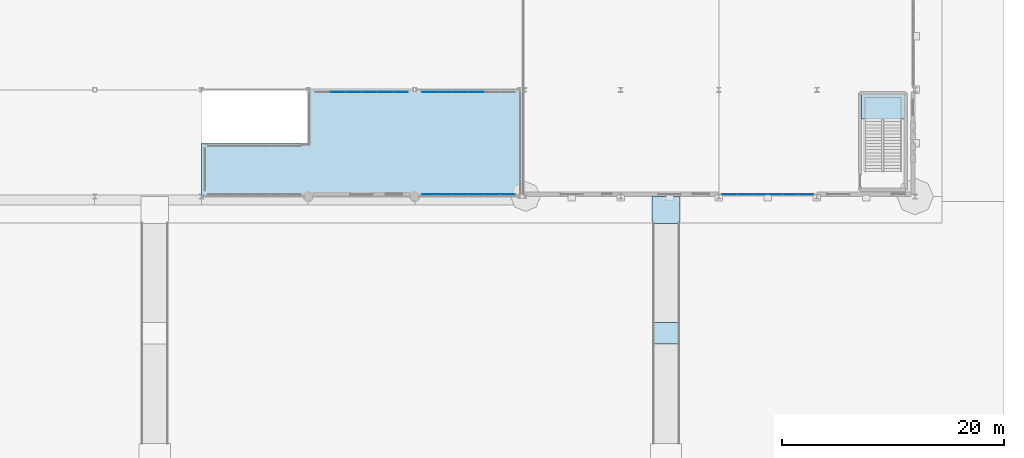
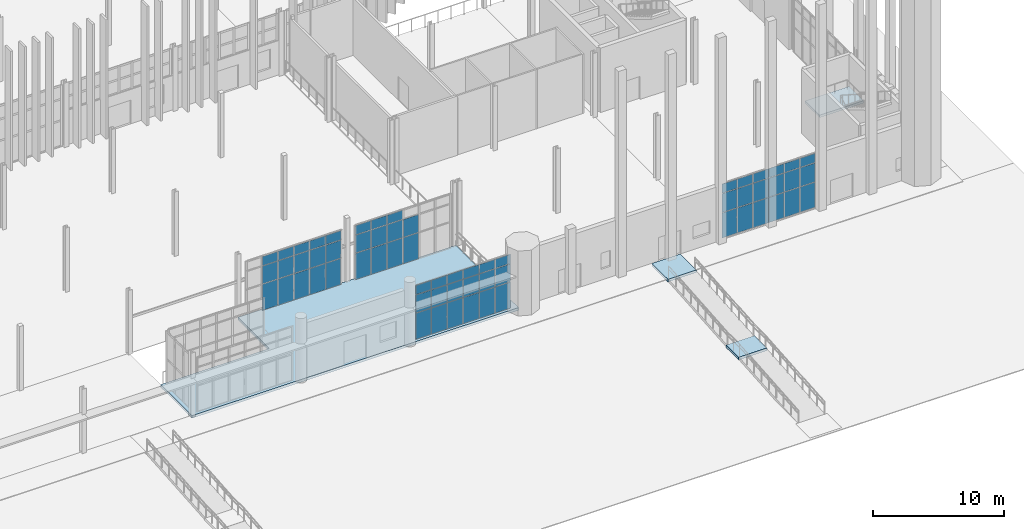
# One storey, part 80 of 139: 62 plates, 4 slabs, 6 elements without a shape of their own.
"""IFC4 building model written with IfcOpenShell, lengths in metres."""

from ifc_helpers import new_model, si_unit, direction, frame, origin, origin_2d, place, context, subcontext, project, spatial, polyline, rectangle, outline, extrude, material, layer, layer_set, type_object, element, aggregate, save


model = new_model("IFC4")

# Units and contexts
model_context = context("Model", 3, precision=1e-05, world=origin(), true_north=direction((0.0, 1.0)))
body_context = subcontext(model_context, "Body", "Model", "MODEL_VIEW")
ifc_project = project(units=[si_unit("LENGTHUNIT", "METRE"), si_unit("AREAUNIT", "SQUARE_METRE"), si_unit("VOLUMEUNIT", "CUBIC_METRE"), si_unit("PLANEANGLEUNIT", "RADIAN"), si_unit("MASSUNIT", "GRAM", prefix="KILO")], contexts=[model_context])

# Site, building, storey
site_placement = place(None, origin())
site = spatial("IfcSite", under=ifc_project, at=site_placement, CompositionType="ELEMENT")
building_placement = place(site_placement, origin())
building = spatial("IfcBuilding", under=site, at=building_placement, Name="Yeouljin Market Hall", CompositionType="ELEMENT")
storey_placement = place(building_placement, origin())
storey = spatial("IfcBuildingStorey", under=building, at=storey_placement, Name="L00", CompositionType="ELEMENT", Elevation=0.0)

# Curtain wall, plates
ifc_material_1 = material(Name="Thermally Broken Aluminium", Category="aluminium")
ifc_layer_1 = layer(ifc_material_1, 0.14990234375)
ifc_layer_set_1 = layer_set([ifc_layer_1], Name="Thermally Broken Aluminium")
curtain_wall_type_1 = type_object("IfcCurtainWallType", Name="CW_WingStorefront_System", PredefinedType="USERDEFINED", material=ifc_layer_set_1)
curtain_wall_1_placement = place(storey_placement, origin())
curtain_wall_1 = element("IfcCurtainWall", 1, at=curtain_wall_1_placement, inside=storey, type_object=curtain_wall_type_1, Name="Curtain wall CW-V3S-L00-2", ObjectType="CURTAIN WALL", PredefinedType="USERDEFINED")
ifc_material_2 = material(Name="Low-E Insulated Glass", Category="glass")
ifc_layer_2 = layer(ifc_material_2, 0.028076171875)
ifc_layer_set_2 = layer_set([ifc_layer_2], Name="Low-E Insulated Glass")
plate_type = type_object("IfcPlateType", Name="CWPanel_LowE_28", PredefinedType="CURTAIN_PANEL", material=ifc_layer_set_2)
plate_1_placement = place(storey_placement, frame((166.596435546875, 0.199951171875, 0.0478515625), z_axis=(0.0, 0.0, 1.0), x_axis=(-1.0, 0.0, 0.0)))
plate_1 = element("IfcPlate", 2, at=plate_1_placement, type_object=plate_type, Name="CW-04 panel 1.1", PredefinedType="CURTAIN_PANEL", context=body_context, shape_type="SweptSolid", body=[
    extrude(rectangle(XDim=1.311279296875, YDim=0.028076171875, at=origin_2d()), origin(), (0.0, 0.0, 1.0), 2.327880859375),
])
plate_2_placement = place(storey_placement, frame((166.596435546875, 0.199951171875, 2.424072265625), z_axis=(0.0, 0.0, 1.0), x_axis=(-1.0, 0.0, 0.0)))
plate_2 = element("IfcPlate", 3, at=plate_2_placement, type_object=plate_type, Name="CW-04 panel 1.2", PredefinedType="CURTAIN_PANEL", context=body_context, shape_type="SweptSolid", body=[
    extrude(rectangle(XDim=1.311279296875, YDim=0.028076171875, at=origin_2d()), origin(), (0.0, 0.0, 1.0), 1.751953125),
])
plate_3_placement = place(storey_placement, frame((166.596435546875, 0.199951171875, 4.22412109375), z_axis=(0.0, 0.0, 1.0), x_axis=(-1.0, 0.0, 0.0)))
plate_3 = element("IfcPlate", 4, at=plate_3_placement, type_object=plate_type, Name="CW-04 panel 1.3", PredefinedType="CURTAIN_PANEL", context=body_context, shape_type="SweptSolid", body=[
    extrude(rectangle(XDim=1.311279296875, YDim=0.028076171875, at=origin_2d()), origin(), (0.0, 0.0, 1.0), 0.847900390625),
])
plate_4_placement = place(storey_placement, frame((165.22509765625, 0.199951171875, 0.0478515625), z_axis=(0.0, 0.0, 1.0), x_axis=(-1.0, 0.0, 0.0)))
plate_4 = element("IfcPlate", 5, at=plate_4_placement, type_object=plate_type, Name="CW-04 panel 2.1", PredefinedType="CURTAIN_PANEL", context=body_context, shape_type="SweptSolid", body=[
    extrude(rectangle(XDim=1.33544921875, YDim=0.028076171875, at=origin_2d()), origin(), (0.0, 0.0, 1.0), 2.327880859375),
])
plate_5_placement = place(storey_placement, frame((165.22509765625, 0.199951171875, 2.424072265625), z_axis=(0.0, 0.0, 1.0), x_axis=(-1.0, 0.0, 0.0)))
plate_5 = element("IfcPlate", 6, at=plate_5_placement, type_object=plate_type, Name="CW-04 panel 2.2", PredefinedType="CURTAIN_PANEL", context=body_context, shape_type="SweptSolid", body=[
    extrude(rectangle(XDim=1.33544921875, YDim=0.028076171875, at=origin_2d()), origin(), (0.0, 0.0, 1.0), 1.751953125),
])
plate_6_placement = place(storey_placement, frame((165.22509765625, 0.199951171875, 4.22412109375), z_axis=(0.0, 0.0, 1.0), x_axis=(-1.0, 0.0, 0.0)))
plate_6 = element("IfcPlate", 7, at=plate_6_placement, type_object=plate_type, Name="CW-04 panel 2.3", PredefinedType="CURTAIN_PANEL", context=body_context, shape_type="SweptSolid", body=[
    extrude(rectangle(XDim=1.33544921875, YDim=0.028076171875, at=origin_2d()), origin(), (0.0, 0.0, 1.0), 0.847900390625),
])
plate_7_placement = place(storey_placement, frame((163.841552734375, 0.199951171875, 0.0478515625), z_axis=(0.0, 0.0, 1.0), x_axis=(-1.0, 0.0, 0.0)))
plate_7 = element("IfcPlate", 8, at=plate_7_placement, type_object=plate_type, Name="CW-04 panel 3.1", PredefinedType="CURTAIN_PANEL", context=body_context, shape_type="SweptSolid", body=[
    extrude(rectangle(XDim=1.33544921875, YDim=0.028076171875, at=origin_2d()), origin(), (0.0, 0.0, 1.0), 2.327880859375),
])
plate_8_placement = place(storey_placement, frame((163.841552734375, 0.199951171875, 2.424072265625), z_axis=(0.0, 0.0, 1.0), x_axis=(-1.0, 0.0, 0.0)))
plate_8 = element("IfcPlate", 9, at=plate_8_placement, type_object=plate_type, Name="CW-04 panel 3.2", PredefinedType="CURTAIN_PANEL", context=body_context, shape_type="SweptSolid", body=[
    extrude(rectangle(XDim=1.33544921875, YDim=0.028076171875, at=origin_2d()), origin(), (0.0, 0.0, 1.0), 1.751953125),
])
plate_9_placement = place(storey_placement, frame((163.841552734375, 0.199951171875, 4.22412109375), z_axis=(0.0, 0.0, 1.0), x_axis=(-1.0, 0.0, 0.0)))
plate_9 = element("IfcPlate", 10, at=plate_9_placement, type_object=plate_type, Name="CW-04 panel 3.3", PredefinedType="CURTAIN_PANEL", context=body_context, shape_type="SweptSolid", body=[
    extrude(rectangle(XDim=1.33544921875, YDim=0.028076171875, at=origin_2d()), origin(), (0.0, 0.0, 1.0), 0.847900390625),
])
plate_10_placement = place(storey_placement, frame((162.458251953125, 0.199951171875, 0.0478515625), z_axis=(0.0, 0.0, 1.0), x_axis=(-1.0, 0.0, 0.0)))
plate_10 = element("IfcPlate", 11, at=plate_10_placement, type_object=plate_type, Name="CW-04 panel 4.1", PredefinedType="CURTAIN_PANEL", context=body_context, shape_type="SweptSolid", body=[
    extrude(rectangle(XDim=1.33544921875, YDim=0.028076171875, at=origin_2d()), origin(), (0.0, 0.0, 1.0), 2.327880859375),
])
plate_11_placement = place(storey_placement, frame((162.458251953125, 0.199951171875, 2.424072265625), z_axis=(0.0, 0.0, 1.0), x_axis=(-1.0, 0.0, 0.0)))
plate_11 = element("IfcPlate", 12, at=plate_11_placement, type_object=plate_type, Name="CW-04 panel 4.2", PredefinedType="CURTAIN_PANEL", context=body_context, shape_type="SweptSolid", body=[
    extrude(rectangle(XDim=1.33544921875, YDim=0.028076171875, at=origin_2d()), origin(), (0.0, 0.0, 1.0), 1.751953125),
])
plate_12_placement = place(storey_placement, frame((162.458251953125, 0.199951171875, 4.22412109375), z_axis=(0.0, 0.0, 1.0), x_axis=(-1.0, 0.0, 0.0)))
plate_12 = element("IfcPlate", 13, at=plate_12_placement, type_object=plate_type, Name="CW-04 panel 4.3", PredefinedType="CURTAIN_PANEL", context=body_context, shape_type="SweptSolid", body=[
    extrude(rectangle(XDim=1.33544921875, YDim=0.028076171875, at=origin_2d()), origin(), (0.0, 0.0, 1.0), 0.847900390625),
])
plate_13_placement = place(storey_placement, frame((161.074951171875, 0.199951171875, 0.0478515625), z_axis=(0.0, 0.0, 1.0), x_axis=(-1.0, 0.0, 0.0)))
plate_13 = element("IfcPlate", 14, at=plate_13_placement, type_object=plate_type, Name="CW-04 panel 5.1", PredefinedType="CURTAIN_PANEL", context=body_context, shape_type="SweptSolid", body=[
    extrude(rectangle(XDim=1.33544921875, YDim=0.028076171875, at=origin_2d()), origin(), (0.0, 0.0, 1.0), 2.327880859375),
])
plate_14_placement = place(storey_placement, frame((161.074951171875, 0.199951171875, 2.424072265625), z_axis=(0.0, 0.0, 1.0), x_axis=(-1.0, 0.0, 0.0)))
plate_14 = element("IfcPlate", 15, at=plate_14_placement, type_object=plate_type, Name="CW-04 panel 5.2", PredefinedType="CURTAIN_PANEL", context=body_context, shape_type="SweptSolid", body=[
    extrude(rectangle(XDim=1.33544921875, YDim=0.028076171875, at=origin_2d()), origin(), (0.0, 0.0, 1.0), 1.751953125),
])
plate_15_placement = place(storey_placement, frame((161.074951171875, 0.199951171875, 4.22412109375), z_axis=(0.0, 0.0, 1.0), x_axis=(-1.0, 0.0, 0.0)))
plate_15 = element("IfcPlate", 16, at=plate_15_placement, type_object=plate_type, Name="CW-04 panel 5.3", PredefinedType="CURTAIN_PANEL", context=body_context, shape_type="SweptSolid", body=[
    extrude(rectangle(XDim=1.33544921875, YDim=0.028076171875, at=origin_2d()), origin(), (0.0, 0.0, 1.0), 0.847900390625),
])
plate_16_placement = place(storey_placement, frame((159.70361328125, 0.199951171875, 0.0478515625), z_axis=(0.0, 0.0, 1.0), x_axis=(-1.0, 0.0, 0.0)))
plate_16 = element("IfcPlate", 17, at=plate_16_placement, type_object=plate_type, Name="CW-04 panel 6.1", PredefinedType="CURTAIN_PANEL", context=body_context, shape_type="SweptSolid", body=[
    extrude(rectangle(XDim=1.311279296875, YDim=0.028076171875, at=origin_2d()), origin(), (0.0, 0.0, 1.0), 2.327880859375),
])
plate_17_placement = place(storey_placement, frame((159.70361328125, 0.199951171875, 2.424072265625), z_axis=(0.0, 0.0, 1.0), x_axis=(-1.0, 0.0, 0.0)))
plate_17 = element("IfcPlate", 18, at=plate_17_placement, type_object=plate_type, Name="CW-04 panel 6.2", PredefinedType="CURTAIN_PANEL", context=body_context, shape_type="SweptSolid", body=[
    extrude(rectangle(XDim=1.311279296875, YDim=0.028076171875, at=origin_2d()), origin(), (0.0, 0.0, 1.0), 1.751953125),
])
plate_18_placement = place(storey_placement, frame((159.70361328125, 0.199951171875, 4.22412109375), z_axis=(0.0, 0.0, 1.0), x_axis=(-1.0, 0.0, 0.0)))
plate_18 = element("IfcPlate", 19, at=plate_18_placement, type_object=plate_type, Name="CW-04 panel 6.3", PredefinedType="CURTAIN_PANEL", context=body_context, shape_type="SweptSolid", body=[
    extrude(rectangle(XDim=1.311279296875, YDim=0.028076171875, at=origin_2d()), origin(), (0.0, 0.0, 1.0), 0.847900390625),
])
aggregate(curtain_wall_1, [plate_1, plate_2, plate_3, plate_4, plate_5, plate_6, plate_7, plate_8, plate_9, plate_10, plate_11, plate_12, plate_13, plate_14, plate_15, plate_16, plate_17, plate_18])

ifc_material_3 = material(Name="Thermally Broken Aluminium", Category="aluminium")
ifc_layer_3 = layer(ifc_material_3, 0.14990234375)
ifc_layer_set_3 = layer_set([ifc_layer_3], Name="Thermally Broken Aluminium")
curtain_wall_type_2 = type_object("IfcCurtainWallType", Name="CW_ColonnadeScreen_System", PredefinedType="USERDEFINED", material=ifc_layer_set_3)
curtain_wall_2_placement = place(storey_placement, origin())
curtain_wall_2 = element("IfcCurtainWall", 20, at=curtain_wall_2_placement, inside=storey, type_object=curtain_wall_type_2, Name="Curtain wall CW-V5N-L00-5", ObjectType="CURTAIN WALL", PredefinedType="USERDEFINED")
plate_19_placement = place(storey_placement, frame((124.5, 9.39990234375, 0.0478515625), z_axis=(0.0, 0.0, 1.0), x_axis=(1.0, 0.0, 0.0)))
plate_19 = element("IfcPlate", 21, at=plate_19_placement, type_object=plate_type, Name="CW-06 panel 2.1", PredefinedType="CURTAIN_PANEL", context=body_context, shape_type="SweptSolid", body=[
    extrude(rectangle(XDim=1.35205078125, YDim=0.028076171875, at=origin_2d()), origin(), (0.0, 0.0, 1.0), 2.427978515625),
])
plate_20_placement = place(storey_placement, frame((124.5, 9.39990234375, 2.52392578125), z_axis=(0.0, 0.0, 1.0), x_axis=(1.0, 0.0, 0.0)))
plate_20 = element("IfcPlate", 22, at=plate_20_placement, type_object=plate_type, Name="CW-06 panel 2.2", PredefinedType="CURTAIN_PANEL", context=body_context, shape_type="SweptSolid", body=[
    extrude(rectangle(XDim=1.35205078125, YDim=0.028076171875, at=origin_2d()), origin(), (0.0, 0.0, 1.0), 1.652099609375),
])
plate_21_placement = place(storey_placement, frame((124.5, 9.39990234375, 4.22412109375), z_axis=(0.0, 0.0, 1.0), x_axis=(1.0, 0.0, 0.0)))
plate_21 = element("IfcPlate", 23, at=plate_21_placement, type_object=plate_type, Name="CW-06 panel 2.3", PredefinedType="CURTAIN_PANEL", context=body_context, shape_type="SweptSolid", body=[
    extrude(rectangle(XDim=1.35205078125, YDim=0.028076171875, at=origin_2d()), origin(), (0.0, 0.0, 1.0), 0.847900390625),
])
plate_22_placement = place(storey_placement, frame((125.89990234375, 9.39990234375, 0.0478515625), z_axis=(0.0, 0.0, 1.0), x_axis=(1.0, 0.0, 0.0)))
plate_22 = element("IfcPlate", 24, at=plate_22_placement, type_object=plate_type, Name="CW-06 panel 3.1", PredefinedType="CURTAIN_PANEL", context=body_context, shape_type="SweptSolid", body=[
    extrude(rectangle(XDim=1.35205078125, YDim=0.028076171875, at=origin_2d()), origin(), (0.0, 0.0, 1.0), 2.427978515625),
])
plate_23_placement = place(storey_placement, frame((125.89990234375, 9.39990234375, 2.52392578125), z_axis=(0.0, 0.0, 1.0), x_axis=(1.0, 0.0, 0.0)))
plate_23 = element("IfcPlate", 25, at=plate_23_placement, type_object=plate_type, Name="CW-06 panel 3.2", PredefinedType="CURTAIN_PANEL", context=body_context, shape_type="SweptSolid", body=[
    extrude(rectangle(XDim=1.35205078125, YDim=0.028076171875, at=origin_2d()), origin(), (0.0, 0.0, 1.0), 1.652099609375),
])
plate_24_placement = place(storey_placement, frame((125.89990234375, 9.39990234375, 4.22412109375), z_axis=(0.0, 0.0, 1.0), x_axis=(1.0, 0.0, 0.0)))
plate_24 = element("IfcPlate", 26, at=plate_24_placement, type_object=plate_type, Name="CW-06 panel 3.3", PredefinedType="CURTAIN_PANEL", context=body_context, shape_type="SweptSolid", body=[
    extrude(rectangle(XDim=1.35205078125, YDim=0.028076171875, at=origin_2d()), origin(), (0.0, 0.0, 1.0), 0.847900390625),
])
plate_25_placement = place(storey_placement, frame((127.300048828125, 9.39990234375, 0.0478515625), z_axis=(0.0, 0.0, 1.0), x_axis=(1.0, 0.0, 0.0)))
plate_25 = element("IfcPlate", 27, at=plate_25_placement, type_object=plate_type, Name="CW-06 panel 4.1", PredefinedType="CURTAIN_PANEL", context=body_context, shape_type="SweptSolid", body=[
    extrude(rectangle(XDim=1.35205078125, YDim=0.028076171875, at=origin_2d()), origin(), (0.0, 0.0, 1.0), 2.427978515625),
])
plate_26_placement = place(storey_placement, frame((127.300048828125, 9.39990234375, 2.52392578125), z_axis=(0.0, 0.0, 1.0), x_axis=(1.0, 0.0, 0.0)))
plate_26 = element("IfcPlate", 28, at=plate_26_placement, type_object=plate_type, Name="CW-06 panel 4.2", PredefinedType="CURTAIN_PANEL", context=body_context, shape_type="SweptSolid", body=[
    extrude(rectangle(XDim=1.35205078125, YDim=0.028076171875, at=origin_2d()), origin(), (0.0, 0.0, 1.0), 1.652099609375),
])
plate_27_placement = place(storey_placement, frame((127.300048828125, 9.39990234375, 4.22412109375), z_axis=(0.0, 0.0, 1.0), x_axis=(1.0, 0.0, 0.0)))
plate_27 = element("IfcPlate", 29, at=plate_27_placement, type_object=plate_type, Name="CW-06 panel 4.3", PredefinedType="CURTAIN_PANEL", context=body_context, shape_type="SweptSolid", body=[
    extrude(rectangle(XDim=1.35205078125, YDim=0.028076171875, at=origin_2d()), origin(), (0.0, 0.0, 1.0), 0.847900390625),
])
plate_28_placement = place(storey_placement, frame((128.699951171875, 9.39990234375, 0.0478515625), z_axis=(0.0, 0.0, 1.0), x_axis=(1.0, 0.0, 0.0)))
plate_28 = element("IfcPlate", 30, at=plate_28_placement, type_object=plate_type, Name="CW-06 panel 5.1", PredefinedType="CURTAIN_PANEL", context=body_context, shape_type="SweptSolid", body=[
    extrude(rectangle(XDim=1.35205078125, YDim=0.028076171875, at=origin_2d()), origin(), (0.0, 0.0, 1.0), 2.427978515625),
])
plate_29_placement = place(storey_placement, frame((128.699951171875, 9.39990234375, 2.52392578125), z_axis=(0.0, 0.0, 1.0), x_axis=(1.0, 0.0, 0.0)))
plate_29 = element("IfcPlate", 31, at=plate_29_placement, type_object=plate_type, Name="CW-06 panel 5.2", PredefinedType="CURTAIN_PANEL", context=body_context, shape_type="SweptSolid", body=[
    extrude(rectangle(XDim=1.35205078125, YDim=0.028076171875, at=origin_2d()), origin(), (0.0, 0.0, 1.0), 1.652099609375),
])
plate_30_placement = place(storey_placement, frame((128.699951171875, 9.39990234375, 4.22412109375), z_axis=(0.0, 0.0, 1.0), x_axis=(1.0, 0.0, 0.0)))
plate_30 = element("IfcPlate", 32, at=plate_30_placement, type_object=plate_type, Name="CW-06 panel 5.3", PredefinedType="CURTAIN_PANEL", context=body_context, shape_type="SweptSolid", body=[
    extrude(rectangle(XDim=1.35205078125, YDim=0.028076171875, at=origin_2d()), origin(), (0.0, 0.0, 1.0), 0.847900390625),
])
plate_31_placement = place(storey_placement, frame((130.087890625, 9.39990234375, 0.0478515625), z_axis=(0.0, 0.0, 1.0), x_axis=(1.0, 0.0, 0.0)))
plate_31 = element("IfcPlate", 33, at=plate_31_placement, type_object=plate_type, Name="CW-06 panel 6.1", PredefinedType="CURTAIN_PANEL", context=body_context, shape_type="SweptSolid", body=[
    extrude(rectangle(XDim=1.327880859375, YDim=0.028076171875, at=origin_2d()), origin(), (0.0, 0.0, 1.0), 2.427978515625),
])
plate_32_placement = place(storey_placement, frame((130.087890625, 9.39990234375, 2.52392578125), z_axis=(0.0, 0.0, 1.0), x_axis=(1.0, 0.0, 0.0)))
plate_32 = element("IfcPlate", 34, at=plate_32_placement, type_object=plate_type, Name="CW-06 panel 6.2", PredefinedType="CURTAIN_PANEL", context=body_context, shape_type="SweptSolid", body=[
    extrude(rectangle(XDim=1.327880859375, YDim=0.028076171875, at=origin_2d()), origin(), (0.0, 0.0, 1.0), 1.652099609375),
])
plate_33_placement = place(storey_placement, frame((130.087890625, 9.39990234375, 4.22412109375), z_axis=(0.0, 0.0, 1.0), x_axis=(1.0, 0.0, 0.0)))
plate_33 = element("IfcPlate", 35, at=plate_33_placement, type_object=plate_type, Name="CW-06 panel 6.3", PredefinedType="CURTAIN_PANEL", context=body_context, shape_type="SweptSolid", body=[
    extrude(rectangle(XDim=1.327880859375, YDim=0.028076171875, at=origin_2d()), origin(), (0.0, 0.0, 1.0), 0.847900390625),
])
aggregate(curtain_wall_2, [plate_19, plate_20, plate_21, plate_22, plate_23, plate_24, plate_25, plate_26, plate_27, plate_28, plate_29, plate_30, plate_31, plate_32, plate_33])

curtain_wall_3_placement = place(storey_placement, origin())
curtain_wall_3 = element("IfcCurtainWall", 36, at=curtain_wall_3_placement, inside=storey, type_object=curtain_wall_type_2, Name="Curtain wall CW-V5S-L00-6", ObjectType="CURTAIN WALL", PredefinedType="USERDEFINED")
plate_34_placement = place(storey_placement, frame((139.73388671875, 0.199951171875, 0.0478515625), z_axis=(0.0, 0.0, 1.0), x_axis=(-1.0, 0.0, 0.0)))
plate_34 = element("IfcPlate", 37, at=plate_34_placement, type_object=plate_type, Name="CW-06 panel 1.1", PredefinedType="CURTAIN_PANEL", context=body_context, shape_type="SweptSolid", body=[
    extrude(rectangle(XDim=1.33642578125, YDim=0.028076171875, at=origin_2d()), origin(), (0.0, 0.0, 1.0), 2.427978515625),
])
plate_35_placement = place(storey_placement, frame((139.73388671875, 0.199951171875, 2.52392578125), z_axis=(0.0, 0.0, 1.0), x_axis=(-1.0, 0.0, 0.0)))
plate_35 = element("IfcPlate", 38, at=plate_35_placement, type_object=plate_type, Name="CW-06 panel 1.2", PredefinedType="CURTAIN_PANEL", context=body_context, shape_type="SweptSolid", body=[
    extrude(rectangle(XDim=1.33642578125, YDim=0.028076171875, at=origin_2d()), origin(), (0.0, 0.0, 1.0), 1.652099609375),
])
plate_36_placement = place(storey_placement, frame((139.73388671875, 0.199951171875, 4.22412109375), z_axis=(0.0, 0.0, 1.0), x_axis=(-1.0, 0.0, 0.0)))
plate_36 = element("IfcPlate", 39, at=plate_36_placement, type_object=plate_type, Name="CW-06 panel 1.3", PredefinedType="CURTAIN_PANEL", context=body_context, shape_type="SweptSolid", body=[
    extrude(rectangle(XDim=1.33642578125, YDim=0.028076171875, at=origin_2d()), origin(), (0.0, 0.0, 1.0), 0.847900390625),
])
plate_37_placement = place(storey_placement, frame((138.33740234375, 0.199951171875, 0.0478515625), z_axis=(0.0, 0.0, 1.0), x_axis=(-1.0, 0.0, 0.0)))
plate_37 = element("IfcPlate", 40, at=plate_37_placement, type_object=plate_type, Name="CW-06 panel 2.1", PredefinedType="CURTAIN_PANEL", context=body_context, shape_type="SweptSolid", body=[
    extrude(rectangle(XDim=1.3603515625, YDim=0.028076171875, at=origin_2d()), origin(), (0.0, 0.0, 1.0), 2.427978515625),
])
plate_38_placement = place(storey_placement, frame((138.33740234375, 0.199951171875, 2.52392578125), z_axis=(0.0, 0.0, 1.0), x_axis=(-1.0, 0.0, 0.0)))
plate_38 = element("IfcPlate", 41, at=plate_38_placement, type_object=plate_type, Name="CW-06 panel 2.2", PredefinedType="CURTAIN_PANEL", context=body_context, shape_type="SweptSolid", body=[
    extrude(rectangle(XDim=1.3603515625, YDim=0.028076171875, at=origin_2d()), origin(), (0.0, 0.0, 1.0), 1.652099609375),
])
plate_39_placement = place(storey_placement, frame((138.33740234375, 0.199951171875, 4.22412109375), z_axis=(0.0, 0.0, 1.0), x_axis=(-1.0, 0.0, 0.0)))
plate_39 = element("IfcPlate", 42, at=plate_39_placement, type_object=plate_type, Name="CW-06 panel 2.3", PredefinedType="CURTAIN_PANEL", context=body_context, shape_type="SweptSolid", body=[
    extrude(rectangle(XDim=1.3603515625, YDim=0.028076171875, at=origin_2d()), origin(), (0.0, 0.0, 1.0), 0.847900390625),
])
plate_40_placement = place(storey_placement, frame((136.92919921875, 0.199951171875, 0.0478515625), z_axis=(0.0, 0.0, 1.0), x_axis=(-1.0, 0.0, 0.0)))
plate_40 = element("IfcPlate", 43, at=plate_40_placement, type_object=plate_type, Name="CW-06 panel 3.1", PredefinedType="CURTAIN_PANEL", context=body_context, shape_type="SweptSolid", body=[
    extrude(rectangle(XDim=1.3603515625, YDim=0.028076171875, at=origin_2d()), origin(), (0.0, 0.0, 1.0), 2.427978515625),
])
plate_41_placement = place(storey_placement, frame((136.92919921875, 0.199951171875, 2.52392578125), z_axis=(0.0, 0.0, 1.0), x_axis=(-1.0, 0.0, 0.0)))
plate_41 = element("IfcPlate", 44, at=plate_41_placement, type_object=plate_type, Name="CW-06 panel 3.2", PredefinedType="CURTAIN_PANEL", context=body_context, shape_type="SweptSolid", body=[
    extrude(rectangle(XDim=1.3603515625, YDim=0.028076171875, at=origin_2d()), origin(), (0.0, 0.0, 1.0), 1.652099609375),
])
plate_42_placement = place(storey_placement, frame((136.92919921875, 0.199951171875, 4.22412109375), z_axis=(0.0, 0.0, 1.0), x_axis=(-1.0, 0.0, 0.0)))
plate_42 = element("IfcPlate", 45, at=plate_42_placement, type_object=plate_type, Name="CW-06 panel 3.3", PredefinedType="CURTAIN_PANEL", context=body_context, shape_type="SweptSolid", body=[
    extrude(rectangle(XDim=1.3603515625, YDim=0.028076171875, at=origin_2d()), origin(), (0.0, 0.0, 1.0), 0.847900390625),
])
plate_43_placement = place(storey_placement, frame((135.520751953125, 0.199951171875, 0.0478515625), z_axis=(0.0, 0.0, 1.0), x_axis=(-1.0, 0.0, 0.0)))
plate_43 = element("IfcPlate", 46, at=plate_43_placement, type_object=plate_type, Name="CW-06 panel 4.1", PredefinedType="CURTAIN_PANEL", context=body_context, shape_type="SweptSolid", body=[
    extrude(rectangle(XDim=1.3603515625, YDim=0.028076171875, at=origin_2d()), origin(), (0.0, 0.0, 1.0), 2.427978515625),
])
plate_44_placement = place(storey_placement, frame((135.520751953125, 0.199951171875, 2.52392578125), z_axis=(0.0, 0.0, 1.0), x_axis=(-1.0, 0.0, 0.0)))
plate_44 = element("IfcPlate", 47, at=plate_44_placement, type_object=plate_type, Name="CW-06 panel 4.2", PredefinedType="CURTAIN_PANEL", context=body_context, shape_type="SweptSolid", body=[
    extrude(rectangle(XDim=1.3603515625, YDim=0.028076171875, at=origin_2d()), origin(), (0.0, 0.0, 1.0), 1.652099609375),
])
plate_45_placement = place(storey_placement, frame((135.520751953125, 0.199951171875, 4.22412109375), z_axis=(0.0, 0.0, 1.0), x_axis=(-1.0, 0.0, 0.0)))
plate_45 = element("IfcPlate", 48, at=plate_45_placement, type_object=plate_type, Name="CW-06 panel 4.3", PredefinedType="CURTAIN_PANEL", context=body_context, shape_type="SweptSolid", body=[
    extrude(rectangle(XDim=1.3603515625, YDim=0.028076171875, at=origin_2d()), origin(), (0.0, 0.0, 1.0), 0.847900390625),
])
plate_46_placement = place(storey_placement, frame((134.112548828125, 0.199951171875, 0.0478515625), z_axis=(0.0, 0.0, 1.0), x_axis=(-1.0, 0.0, 0.0)))
plate_46 = element("IfcPlate", 49, at=plate_46_placement, type_object=plate_type, Name="CW-06 panel 5.1", PredefinedType="CURTAIN_PANEL", context=body_context, shape_type="SweptSolid", body=[
    extrude(rectangle(XDim=1.3603515625, YDim=0.028076171875, at=origin_2d()), origin(), (0.0, 0.0, 1.0), 2.427978515625),
])
plate_47_placement = place(storey_placement, frame((134.112548828125, 0.199951171875, 2.52392578125), z_axis=(0.0, 0.0, 1.0), x_axis=(-1.0, 0.0, 0.0)))
plate_47 = element("IfcPlate", 50, at=plate_47_placement, type_object=plate_type, Name="CW-06 panel 5.2", PredefinedType="CURTAIN_PANEL", context=body_context, shape_type="SweptSolid", body=[
    extrude(rectangle(XDim=1.3603515625, YDim=0.028076171875, at=origin_2d()), origin(), (0.0, 0.0, 1.0), 1.652099609375),
])
plate_48_placement = place(storey_placement, frame((134.112548828125, 0.199951171875, 4.22412109375), z_axis=(0.0, 0.0, 1.0), x_axis=(-1.0, 0.0, 0.0)))
plate_48 = element("IfcPlate", 51, at=plate_48_placement, type_object=plate_type, Name="CW-06 panel 5.3", PredefinedType="CURTAIN_PANEL", context=body_context, shape_type="SweptSolid", body=[
    extrude(rectangle(XDim=1.3603515625, YDim=0.028076171875, at=origin_2d()), origin(), (0.0, 0.0, 1.0), 0.847900390625),
])
plate_49_placement = place(storey_placement, frame((132.716064453125, 0.199951171875, 0.0478515625), z_axis=(0.0, 0.0, 1.0), x_axis=(-1.0, 0.0, 0.0)))
plate_49 = element("IfcPlate", 52, at=plate_49_placement, type_object=plate_type, Name="CW-06 panel 6.1", PredefinedType="CURTAIN_PANEL", context=body_context, shape_type="SweptSolid", body=[
    extrude(rectangle(XDim=1.33642578125, YDim=0.028076171875, at=origin_2d()), origin(), (0.0, 0.0, 1.0), 2.427978515625),
])
plate_50_placement = place(storey_placement, frame((132.716064453125, 0.199951171875, 2.52392578125), z_axis=(0.0, 0.0, 1.0), x_axis=(-1.0, 0.0, 0.0)))
plate_50 = element("IfcPlate", 53, at=plate_50_placement, type_object=plate_type, Name="CW-06 panel 6.2", PredefinedType="CURTAIN_PANEL", context=body_context, shape_type="SweptSolid", body=[
    extrude(rectangle(XDim=1.33642578125, YDim=0.028076171875, at=origin_2d()), origin(), (0.0, 0.0, 1.0), 1.652099609375),
])
plate_51_placement = place(storey_placement, frame((132.716064453125, 0.199951171875, 4.22412109375), z_axis=(0.0, 0.0, 1.0), x_axis=(-1.0, 0.0, 0.0)))
plate_51 = element("IfcPlate", 54, at=plate_51_placement, type_object=plate_type, Name="CW-06 panel 6.3", PredefinedType="CURTAIN_PANEL", context=body_context, shape_type="SweptSolid", body=[
    extrude(rectangle(XDim=1.33642578125, YDim=0.028076171875, at=origin_2d()), origin(), (0.0, 0.0, 1.0), 0.847900390625),
])
aggregate(curtain_wall_3, [plate_34, plate_35, plate_36, plate_37, plate_38, plate_39, plate_40, plate_41, plate_42, plate_43, plate_44, plate_45, plate_46, plate_47, plate_48, plate_49, plate_50, plate_51])

curtain_wall_4_placement = place(storey_placement, origin())
curtain_wall_4 = element("IfcCurtainWall", 55, at=curtain_wall_4_placement, inside=storey, type_object=curtain_wall_type_2, Name="Curtain wall CW-V5N-L00-6", ObjectType="CURTAIN WALL", PredefinedType="USERDEFINED")
plate_52_placement = place(storey_placement, frame((132.716064453125, 9.39990234375, 0.0478515625), z_axis=(0.0, 0.0, 1.0), x_axis=(1.0, 0.0, 0.0)))
plate_52 = element("IfcPlate", 56, at=plate_52_placement, type_object=plate_type, Name="CW-06 panel 1.1", PredefinedType="CURTAIN_PANEL", context=body_context, shape_type="SweptSolid", body=[
    extrude(rectangle(XDim=1.33642578125, YDim=0.028076171875, at=origin_2d()), origin(), (0.0, 0.0, 1.0), 2.427978515625),
])
plate_53_placement = place(storey_placement, frame((132.716064453125, 9.39990234375, 2.52392578125), z_axis=(0.0, 0.0, 1.0), x_axis=(1.0, 0.0, 0.0)))
plate_53 = element("IfcPlate", 57, at=plate_53_placement, type_object=plate_type, Name="CW-06 panel 1.2", PredefinedType="CURTAIN_PANEL", context=body_context, shape_type="SweptSolid", body=[
    extrude(rectangle(XDim=1.33642578125, YDim=0.028076171875, at=origin_2d()), origin(), (0.0, 0.0, 1.0), 1.652099609375),
])
plate_54_placement = place(storey_placement, frame((132.716064453125, 9.39990234375, 4.22412109375), z_axis=(0.0, 0.0, 1.0), x_axis=(1.0, 0.0, 0.0)))
plate_54 = element("IfcPlate", 58, at=plate_54_placement, type_object=plate_type, Name="CW-06 panel 1.3", PredefinedType="CURTAIN_PANEL", context=body_context, shape_type="SweptSolid", body=[
    extrude(rectangle(XDim=1.33642578125, YDim=0.028076171875, at=origin_2d()), origin(), (0.0, 0.0, 1.0), 0.847900390625),
])
plate_55_placement = place(storey_placement, frame((134.112548828125, 9.39990234375, 0.0478515625), z_axis=(0.0, 0.0, 1.0), x_axis=(1.0, 0.0, 0.0)))
plate_55 = element("IfcPlate", 59, at=plate_55_placement, type_object=plate_type, Name="CW-06 panel 2.1", PredefinedType="CURTAIN_PANEL", context=body_context, shape_type="SweptSolid", body=[
    extrude(rectangle(XDim=1.3603515625, YDim=0.028076171875, at=origin_2d()), origin(), (0.0, 0.0, 1.0), 2.427978515625),
])
plate_56_placement = place(storey_placement, frame((134.112548828125, 9.39990234375, 2.52392578125), z_axis=(0.0, 0.0, 1.0), x_axis=(1.0, 0.0, 0.0)))
plate_56 = element("IfcPlate", 60, at=plate_56_placement, type_object=plate_type, Name="CW-06 panel 2.2", PredefinedType="CURTAIN_PANEL", context=body_context, shape_type="SweptSolid", body=[
    extrude(rectangle(XDim=1.3603515625, YDim=0.028076171875, at=origin_2d()), origin(), (0.0, 0.0, 1.0), 1.652099609375),
])
plate_57_placement = place(storey_placement, frame((134.112548828125, 9.39990234375, 4.22412109375), z_axis=(0.0, 0.0, 1.0), x_axis=(1.0, 0.0, 0.0)))
plate_57 = element("IfcPlate", 61, at=plate_57_placement, type_object=plate_type, Name="CW-06 panel 2.3", PredefinedType="CURTAIN_PANEL", context=body_context, shape_type="SweptSolid", body=[
    extrude(rectangle(XDim=1.3603515625, YDim=0.028076171875, at=origin_2d()), origin(), (0.0, 0.0, 1.0), 0.847900390625),
])
plate_58_placement = place(storey_placement, frame((135.520751953125, 9.39990234375, 0.0478515625), z_axis=(0.0, 0.0, 1.0), x_axis=(1.0, 0.0, 0.0)))
plate_58 = element("IfcPlate", 62, at=plate_58_placement, type_object=plate_type, Name="CW-06 panel 3.1", PredefinedType="CURTAIN_PANEL", context=body_context, shape_type="SweptSolid", body=[
    extrude(rectangle(XDim=1.3603515625, YDim=0.028076171875, at=origin_2d()), origin(), (0.0, 0.0, 1.0), 2.427978515625),
])
plate_59_placement = place(storey_placement, frame((135.520751953125, 9.39990234375, 2.52392578125), z_axis=(0.0, 0.0, 1.0), x_axis=(1.0, 0.0, 0.0)))
plate_59 = element("IfcPlate", 63, at=plate_59_placement, type_object=plate_type, Name="CW-06 panel 3.2", PredefinedType="CURTAIN_PANEL", context=body_context, shape_type="SweptSolid", body=[
    extrude(rectangle(XDim=1.3603515625, YDim=0.028076171875, at=origin_2d()), origin(), (0.0, 0.0, 1.0), 1.652099609375),
])
plate_60_placement = place(storey_placement, frame((135.520751953125, 9.39990234375, 4.22412109375), z_axis=(0.0, 0.0, 1.0), x_axis=(1.0, 0.0, 0.0)))
plate_60 = element("IfcPlate", 64, at=plate_60_placement, type_object=plate_type, Name="CW-06 panel 3.3", PredefinedType="CURTAIN_PANEL", context=body_context, shape_type="SweptSolid", body=[
    extrude(rectangle(XDim=1.3603515625, YDim=0.028076171875, at=origin_2d()), origin(), (0.0, 0.0, 1.0), 0.847900390625),
])
plate_61_placement = place(storey_placement, frame((136.92919921875, 9.39990234375, 0.0478515625), z_axis=(0.0, 0.0, 1.0), x_axis=(1.0, 0.0, 0.0)))
plate_61 = element("IfcPlate", 65, at=plate_61_placement, type_object=plate_type, Name="CW-06 panel 4.1", PredefinedType="CURTAIN_PANEL", context=body_context, shape_type="SweptSolid", body=[
    extrude(rectangle(XDim=1.3603515625, YDim=0.028076171875, at=origin_2d()), origin(), (0.0, 0.0, 1.0), 2.427978515625),
])
plate_62_placement = place(storey_placement, frame((136.92919921875, 9.39990234375, 2.52392578125), z_axis=(0.0, 0.0, 1.0), x_axis=(1.0, 0.0, 0.0)))
plate_62 = element("IfcPlate", 66, at=plate_62_placement, type_object=plate_type, Name="CW-06 panel 4.2", PredefinedType="CURTAIN_PANEL", context=body_context, shape_type="SweptSolid", body=[
    extrude(rectangle(XDim=1.3603515625, YDim=0.028076171875, at=origin_2d()), origin(), (0.0, 0.0, 1.0), 1.652099609375),
])
aggregate(curtain_wall_4, [plate_52, plate_53, plate_54, plate_55, plate_56, plate_57, plate_58, plate_59, plate_60, plate_61, plate_62])

# Slab
ifc_material_4 = material(Name="Concrete C30/37", Category="concrete")
ifc_layer_4 = layer(ifc_material_4, 0.239990234375)
ifc_layer_set_4 = layer_set([ifc_layer_4], Name="Concrete C30/37")
slab_type_1 = type_object("IfcSlabType", Name="SLB_COL_240", PredefinedType="FLOOR", material=ifc_layer_set_4)
slab_1_placement = place(storey_placement, frame((0.0, 0.0, -0.239990234375)))
element("IfcSlab", 67, at=slab_1_placement, inside=storey, type_object=slab_type_1, Name="Structural slab SLB-L00-SC2", PredefinedType="FLOOR", context=body_context, shape_type="SweptSolid", body=[
    extrude(outline(polyline([(112.199951171875, 0.0), (141.0, 0.0), (141.0, 9.60009765625), (121.800048828125, 9.60009765625), (121.800048828125, 4.800048828125), (112.199951171875, 4.800048828125), (112.199951171875, 0.0)])), origin(), (0.0, 0.0, 1.0), 0.239990234375),
])

# Ramp, slabs
ifc_material_5 = material(Name="Concrete C30/37", Category="concrete")
ramp_type = type_object("IfcRampType", Name="Ramp_Pedestrian_Granite", PredefinedType="STRAIGHT_RUN_RAMP", material=ifc_material_5)
ramp_placement = place(storey_placement, origin())
ramp = element("IfcRamp", 68, at=ramp_placement, inside=storey, type_object=ramp_type, Name="Boulevard plinth accessible pedestrian ramp 04", PredefinedType="STRAIGHT_RUN_RAMP")
slab_2_placement = place(storey_placement, frame((0.0, 0.0, -0.239990234375)))
slab_2 = element("IfcSlab", 69, at=slab_2_placement, type_object=slab_type_1, Name="Plinth pedestrian ramp 04 top landing", PredefinedType="LANDING", context=body_context, shape_type="SweptSolid", body=[
    extrude(outline(polyline([(152.75, -2.449951171875), (155.25, -2.449951171875), (155.25, 0.0), (152.75, 0.0), (152.75, -2.449951171875)])), origin(), (0.0, 0.0, 1.0), 0.239990234375),
])
slab_3_placement = place(storey_placement, frame((0.0, 0.0, -0.969970703125)))
slab_3 = element("IfcSlab", 70, at=slab_3_placement, type_object=slab_type_1, Name="Plinth pedestrian ramp 04 rest landing", PredefinedType="LANDING", context=body_context, shape_type="SweptSolid", body=[
    extrude(outline(polyline([(152.75, -13.25), (155.25, -13.25), (155.25, -11.35009765625), (152.75, -11.35009765625), (152.75, -13.25)])), origin(), (0.0, 0.0, 1.0), 0.25),
])
aggregate(ramp, [slab_2, slab_3])

# Stair, slab
ifc_material_6 = material(Name="Concrete C30/37", Category="concrete")
stair_type = type_object("IfcStairType", Name="Stair_Escape_Wing", PredefinedType="HALF_TURN_STAIR", material=ifc_material_6)
stair_placement = place(storey_placement, origin())
stair = element("IfcStair", 71, at=stair_placement, inside=storey, type_object=stair_type, Name="Enclosed exit stair ST-S8-L00", PredefinedType="HALF_TURN_STAIR")
ifc_material_7 = material(Name="Concrete C30/37", Category="concrete")
ifc_layer_5 = layer(ifc_material_7, 0.219970703125)
ifc_layer_set_5 = layer_set([ifc_layer_5], Name="Concrete C30/37")
slab_type_2 = type_object("IfcSlabType", Name="StairLanding_220", PredefinedType="LANDING", material=ifc_layer_set_5)
slab_4_placement = place(storey_placement, frame((0.0, 0.0, 2.780029296875)))
slab_4 = element("IfcSlab", 72, at=slab_4_placement, type_object=slab_type_2, Name="ST-S8-L00 landing 1", PredefinedType="LANDING", context=body_context, shape_type="SweptSolid", body=[
    extrude(outline(polyline([(171.570068359375, 6.969970703125), (175.429931640625, 6.969970703125), (175.429931640625, 9.179931640625), (171.570068359375, 9.179931640625), (171.570068359375, 6.969970703125)])), origin(), (0.0, 0.0, 1.0), 0.219970703125),
])
aggregate(stair, [slab_4])

save(model, "model.ifc")
